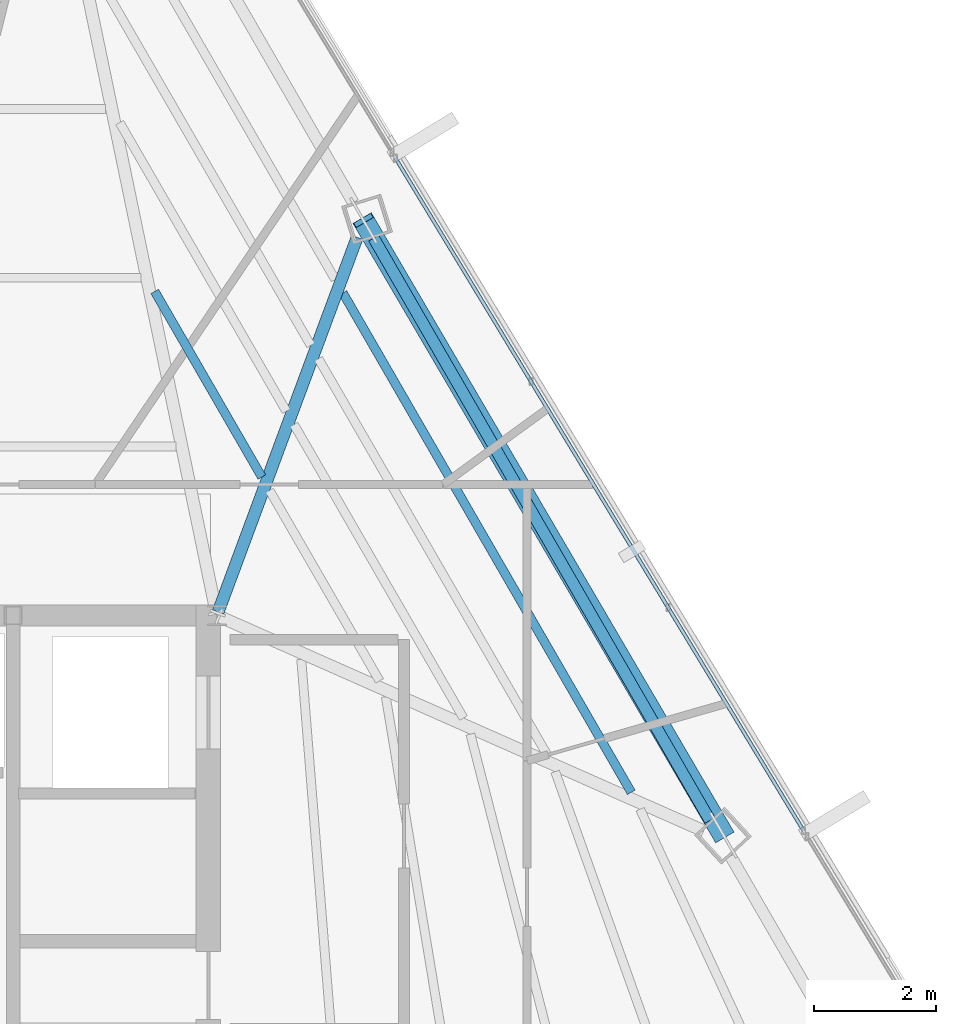
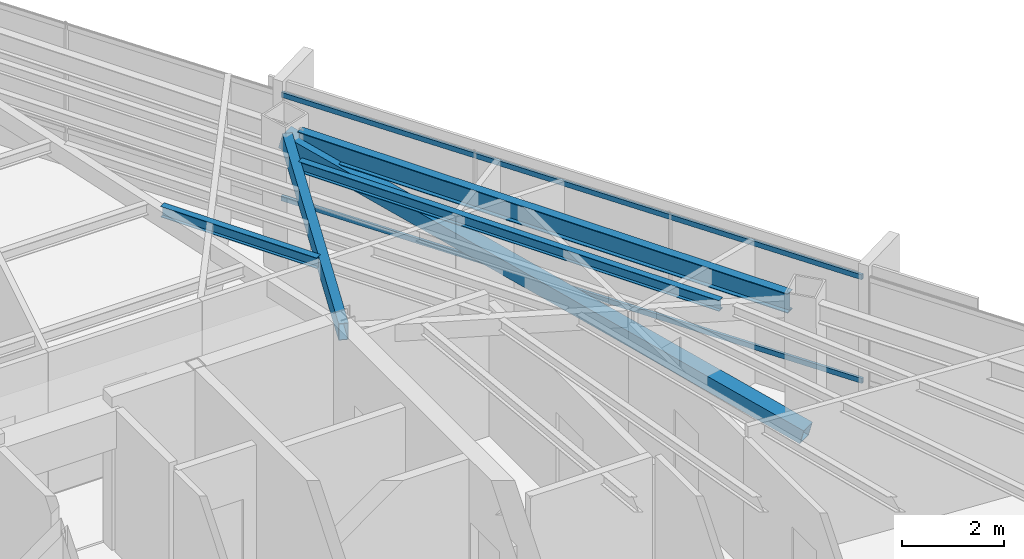
# One storey, part 27 of 42: 4 beams, 3 members, 1 element without a shape of its own.
"""IFC4 building model written with IfcOpenShell, lengths in metres."""

from ifc_helpers import new_model, si_unit, direction, frame, origin, origin_2d, place, context, subcontext, project, spatial, hollow_rectangle, i_section, extrude, source, transform, mapped, material, material_profile, profile_set, type_object, type_shapes, element, aggregate, save


model = new_model("IFC4")

# Units and contexts
model_context = context("Model", 3, precision=1e-05, world=origin(), true_north=direction((0.0, 1.0)))
body_context = subcontext(model_context, "Body", "Model", "MODEL_VIEW")
ifc_project = project(units=[si_unit("LENGTHUNIT", "METRE"), si_unit("AREAUNIT", "SQUARE_METRE"), si_unit("VOLUMEUNIT", "CUBIC_METRE"), si_unit("PLANEANGLEUNIT", "RADIAN"), si_unit("MASSUNIT", "GRAM", prefix="KILO")], contexts=[model_context])

# Site, building, storey
site_placement = place(None, origin())
site = spatial("IfcSite", under=ifc_project, at=site_placement, CompositionType="ELEMENT")
building_placement = place(site_placement, origin())
building = spatial("IfcBuilding", under=site, at=building_placement, Name="Caelisora Broadcast Tower", CompositionType="ELEMENT")
storey_placement = place(building_placement, frame((0.0, 0.0, 244.449951171875)))
storey = spatial("IfcBuildingStorey", under=building, at=storey_placement, Name="L64", CompositionType="ELEMENT", Elevation=244.449951171875)

# Beams
ifc_material_1 = material(Name="Steel Grade 350 (AS/NZS 3679.1)", Category="steel")
ifc_material_profile_1 = material_profile(ifc_material_1, i_section(OverallWidth=0.19091796875, OverallDepth=0.46044921875, WebThickness=0.010009765625, FlangeThickness=0.01611328125, at=origin_2d()), Name="Steel Grade 350 (AS/NZS 3679.1)")
ifc_profile_set_1 = profile_set([ifc_material_profile_1], Name="Steel Grade 350 (AS/NZS 3679.1)")
beam_type_1 = type_object("IfcBeamType", Name="PG06", PredefinedType="BEAM", material=ifc_profile_set_1)
shared_shape_1 = source(origin(), body_context, "Body", "SweptSolid", [
    extrude(i_section(OverallWidth=0.19091796875, OverallDepth=0.46044921875, WebThickness=0.010009765625, FlangeThickness=0.01611328125, at=origin_2d()), origin(), (0.0, 0.0, 1.0), 11.058837890625),
])
type_shapes(beam_type_1, [shared_shape_1])
beam_1_placement = place(storey_placement, frame((53.610107421875, 26.627685546875, 3.169921875), z_axis=(-0.500011650413, 0.866018677311, 0.0), x_axis=(-0.866018677311, -0.500011650413, 0.0)))
element("IfcBeam", 1, at=beam_1_placement, inside=storey, type_object=beam_type_1, Name="L64 beam PG06", PredefinedType="BEAM", context=body_context, shape_type="MappedRepresentation", body=[
    mapped(shared_shape_1, transform((0.0, 0.0, 0.0), scale=1.0)),
])
ifc_material_2 = material(Name="Steel Grade 350 (AS/NZS 1163 C350L0)", Category="steel")
ifc_material_profile_2 = material_profile(ifc_material_2, hollow_rectangle(XDim=0.199951171875, YDim=0.39990234375, WallThickness=0.012451171875, at=origin_2d()), Name="Steel Grade 350 (AS/NZS 1163 C350L0)")
ifc_profile_set_2 = profile_set([ifc_material_profile_2], Name="Steel Grade 350 (AS/NZS 1163 C350L0)")
beam_type_2 = type_object("IfcBeamType", Name="PG07", PredefinedType="BEAM", material=ifc_profile_set_2)
shared_shape_2 = source(origin(), body_context, "Body", "SweptSolid", [
    extrude(hollow_rectangle(XDim=0.199951171875, YDim=0.39990234375, WallThickness=0.012451171875, at=origin_2d()), origin(), (0.0, 0.0, 1.0), 6.572265625),
])
type_shapes(beam_type_2, [shared_shape_2])
beam_2_placement = place(storey_placement, frame((45.52099609375, 30.056396484375, 3.199951171875), z_axis=(0.34795428466, 0.937511501682, 0.0), x_axis=(-0.937511501682, 0.34795428466, 0.0)))
element("IfcBeam", 2, at=beam_2_placement, inside=storey, type_object=beam_type_2, Name="L64 beam PG07", PredefinedType="BEAM", context=body_context, shape_type="MappedRepresentation", body=[
    mapped(shared_shape_2, transform((0.0, 0.0, 0.0), scale=1.0)),
])
ifc_material_profile_3 = material_profile(ifc_material_1, i_section(OverallWidth=0.14599609375, OverallDepth=0.256103515625, WebThickness=0.00634765625, FlangeThickness=0.010986328125, at=origin_2d()), Name="Steel Grade 350 (AS/NZS 3679.1)")
ifc_profile_set_3 = profile_set([ifc_material_profile_3], Name="Steel Grade 350 (AS/NZS 3679.1)")
beam_type_3 = type_object("IfcBeamType", Name="SB04", PredefinedType="JOIST", material=ifc_profile_set_3)
shared_shape_3 = source(origin(), body_context, "Body", "SweptSolid", [
    extrude(i_section(OverallWidth=0.14599609375, OverallDepth=0.256103515625, WebThickness=0.00634765625, FlangeThickness=0.010986328125, at=origin_2d()), origin(), (0.0, 0.0, 1.0), 3.5244140625),
])
beam_3_placement = place(storey_placement, frame((46.240478515625, 32.275634765625, 3.27197265625), z_axis=(-0.499998282143, 0.866026395587, 0.0), x_axis=(-0.866026395587, -0.499998282143, 0.0)))
element("IfcBeam", 3, at=beam_3_placement, inside=storey, type_object=beam_type_3, Name="L64 beam SB04", PredefinedType="JOIST", context=body_context, shape_type="MappedRepresentation", body=[
    mapped(shared_shape_3, transform((0.0, 0.0, 0.0), scale=1.0)),
])
shared_shape_4 = source(origin(), body_context, "Body", "SweptSolid", [
    extrude(i_section(OverallWidth=0.14599609375, OverallDepth=0.256103515625, WebThickness=0.00634765625, FlangeThickness=0.010986328125, at=origin_2d()), origin(), (0.0, 0.0, 1.0), 9.485595703125),
])
type_shapes(beam_type_3, [shared_shape_3, shared_shape_4])
beam_4_placement = place(storey_placement, frame((52.31591796875, 27.090087890625, 3.27197265625), z_axis=(-0.50001728622, 0.866015423351, 0.0), x_axis=(-0.866015423351, -0.50001728622, 0.0)))
element("IfcBeam", 4, at=beam_4_placement, inside=storey, type_object=beam_type_3, Name="L64 beam SB04", PredefinedType="JOIST", context=body_context, shape_type="MappedRepresentation", body=[
    mapped(shared_shape_4, transform((0.0, 0.0, 0.0), scale=1.0)),
])

# Member
ifc_material_3 = material(Name="Steel Grade 450 (AS/NZS 1163 C450L0)", Category="steel")
ifc_material_profile_4 = material_profile(ifc_material_3, hollow_rectangle(XDim=0.35009765625, YDim=0.35009765625, WallThickness=0.012451171875, at=origin_2d()), Name="Steel Grade 450 (AS/NZS 1163 C450L0)")
ifc_profile_set_4 = profile_set([ifc_material_profile_4], Name="Steel Grade 450 (AS/NZS 1163 C450L0)")
member_type_1 = type_object("IfcMemberType", Name="BR05", PredefinedType="BRACE", material=ifc_profile_set_4)
shared_shape_5 = source(origin(), body_context, "Body", "SweptSolid", [
    extrude(hollow_rectangle(XDim=0.35009765625, YDim=0.35009765625, WallThickness=0.012451171875, at=origin_2d()), origin(), (0.0, 0.0, 1.0), 12.0966796875),
])
type_shapes(member_type_1, [shared_shape_5])
member_1_placement = place(storey_placement, frame((53.83349609375, 26.38525390625, 0.10009765625), z_axis=(-0.489549422003, 0.83596376399, 0.248003928825), x_axis=(-0.862922296654, -0.505336630315, 0.0)))
element("IfcMember", 5, at=member_1_placement, inside=storey, type_object=member_type_1, Name="L64 perimeter brace BR05", PredefinedType="BRACE", context=body_context, shape_type="MappedRepresentation", body=[
    mapped(shared_shape_5, transform((0.0, 0.0, 0.0), scale=1.0)),
])

# Curtain wall, members
ifc_material_4 = material(Name="Unitised Aluminium Insulated Shadow-Box Spandrel Curtain Wall", Category="aluminium")
curtain_wall_type = type_object("IfcCurtainWallType", Name="CW-SP3", PredefinedType="NOTDEFINED", material=ifc_material_4)
curtain_wall_placement = place(storey_placement, origin())
curtain_wall = element("IfcCurtainWall", 6, at=curtain_wall_placement, inside=storey, type_object=curtain_wall_type, Name="L64 curtain wall CW-SP3", PredefinedType="NOTDEFINED")
ifc_material_5 = material(Name="Aluminium 6063-T6 Anodised Terracotta Bronze", Category="aluminium")
ifc_material_profile_5 = material_profile(ifc_material_5, hollow_rectangle(XDim=0.06005859375, YDim=0.1201171875, WallThickness=0.0029296875, at=origin_2d()), Name="Aluminium 6063-T6 Anodised Terracotta Bronze")
ifc_profile_set_5 = profile_set([ifc_material_profile_5], Name="Aluminium 6063-T6 Anodised Terracotta Bronze")
member_type_2 = type_object("IfcMemberType", Name="CWT-03", PredefinedType="USERDEFINED", material=ifc_profile_set_5)
shared_shape_6 = source(origin(), body_context, "Body", "SweptSolid", [
    extrude(hollow_rectangle(XDim=0.06005859375, YDim=0.1201171875, WallThickness=0.0029296875, at=origin_2d()), origin(), (0.0, 0.0, 1.0), 12.939208984375),
])
type_shapes(member_type_2, [shared_shape_6])
member_2_placement = place(storey_placement, frame((48.43798828125, 37.521240234375, 0.85009765625), z_axis=(0.518726511365, -0.854940235576, 0.0), x_axis=(0.854940235576, 0.518726511365, 0.0)))
member_2 = element("IfcMember", 7, at=member_2_placement, type_object=member_type_2, Name="L64-CW-B02 transom #1", ObjectType="TRANSOM", PredefinedType="USERDEFINED", context=body_context, shape_type="MappedRepresentation", body=[
    mapped(shared_shape_6, transform((0.0, 0.0, 0.0), scale=1.0)),
])
member_3_placement = place(storey_placement, frame((48.43798828125, 37.521240234375, 3.320068359375), z_axis=(0.518726511365, -0.854940235576, 0.0), x_axis=(0.854940235576, 0.518726511365, 0.0)))
member_3 = element("IfcMember", 8, at=member_3_placement, type_object=member_type_2, Name="L64-CW-B02 transom #2", ObjectType="TRANSOM", PredefinedType="USERDEFINED", context=body_context, shape_type="MappedRepresentation", body=[
    mapped(shared_shape_6, transform((0.0, 0.0, 0.0), scale=1.0)),
])
aggregate(curtain_wall, [member_2, member_3])

save(model, "model.ifc")
